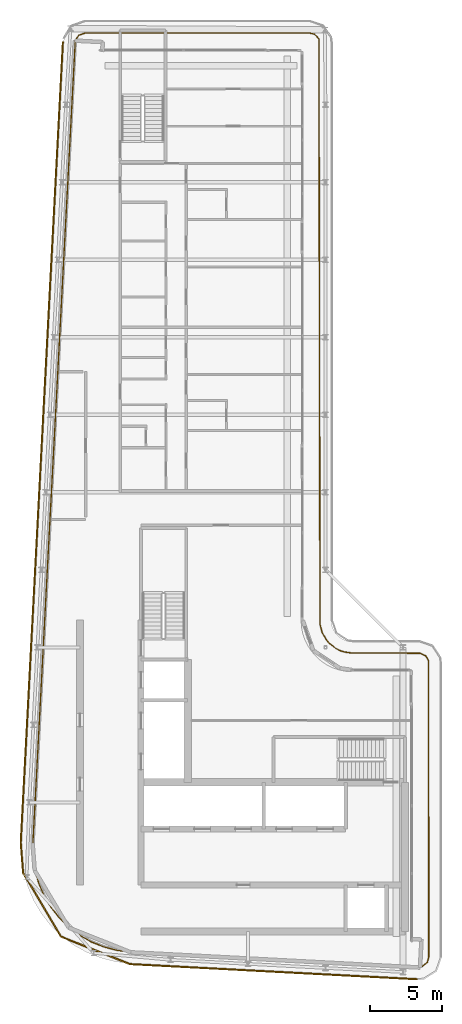
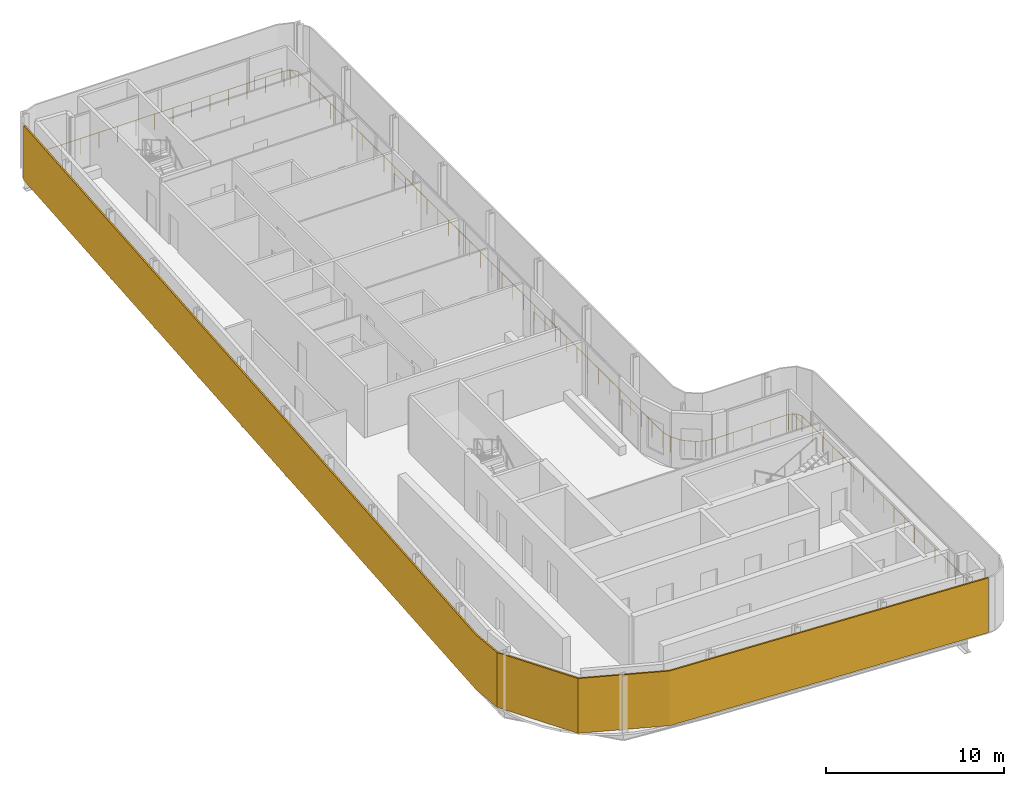
# One storey, part 14 of 17: 1 railing, 1 shading device.
"""IFC4 building model written with IfcOpenShell, lengths in metres."""

import ifcopenshell
import ifcopenshell.guid

model = None  # the IFC model being written
_history = None  # IfcOwnerHistory: only IFC2X3 demands one
_inside = {}  # id of a spatial element -> (the spatial element, [elements in it])
_under = {}  # id of a project, library or spatial element -> (it, [spatial elements below it])
_declared = {}  # id of a project -> (the project, [libraries it declares])
_typed = {}  # id of a type object -> (the type object, [elements of that type])
_made_of = {}  # id of a material, layer set ... -> (it, [elements and type objects made of it])


def new_model(schema):
    """Start an empty IFC model of exactly this schema.

    Asked for "IFC4X3", IfcOpenShell would pick the latest addendum, in which some entities
    have other attributes; the version numbers below select the first issue.
    IFC2X3 requires an IfcOwnerHistory on every rooted entity: one is made here for all.
    """
    global model, _history
    if schema == "IFC4X3":
        model = ifcopenshell.file(schema_version=(4, 3, 0, 0))
    else:
        model = ifcopenshell.file(schema=schema)
    _inside.clear()
    _under.clear()
    _declared.clear()
    _typed.clear()
    _made_of.clear()
    _history = None
    if model.schema == "IFC2X3":
        org = make("IfcOrganization", Name="unknown")
        user = make(
            "IfcPersonAndOrganization",
            ThePerson=make("IfcPerson", FamilyName="unknown"),
            TheOrganization=org,
        )
        app = make(
            "IfcApplication",
            ApplicationDeveloper=org,
            Version="unknown",
            ApplicationFullName="unknown",
            ApplicationIdentifier="unknown",
        )
        _history = make(
            "IfcOwnerHistory",
            OwningUser=user,
            OwningApplication=app,
            ChangeAction="ADDED",
            CreationDate=0,
        )
    return model


def make(cls, **values):
    """One entity of the class cls with the attributes given. An attribute that is None is left unset."""
    return model.create_entity(
        cls, **{name: value for name, value in values.items() if value is not None}
    )


def rooted(cls, **values):
    """An entity with a GlobalId (a new one), such as an element, a storey or a relation."""
    return make(cls, GlobalId=ifcopenshell.guid.new(), OwnerHistory=_history, **values)


def si_unit(unit_type, name, prefix=None):
    """IfcSIUnit, for example si_unit("LENGTHUNIT", "METRE", prefix="MILLI")."""
    return make("IfcSIUnit", UnitType=unit_type, Prefix=prefix, Name=name)


def assignment(units):
    """IfcUnitAssignment: the units of a project."""
    return None if units is None else make("IfcUnitAssignment", Units=units)


def point(xyz):
    """IfcCartesianPoint."""
    return None if xyz is None else make("IfcCartesianPoint", Coordinates=xyz)


def direction(xyz):
    """IfcDirection."""
    return None if xyz is None else make("IfcDirection", DirectionRatios=xyz)


def frame(location, z_axis=None, x_axis=None):
    """IfcAxis2Placement3D, a coordinate frame: its origin and axes. An axis left out is left unset."""
    return make(
        "IfcAxis2Placement3D",
        Location=point(location),
        Axis=direction(z_axis),
        RefDirection=direction(x_axis),
    )


def frame_2d(location, x_axis=None):
    """IfcAxis2Placement2D, a coordinate frame in the plane: its origin and x axis."""
    return make(
        "IfcAxis2Placement2D", Location=point(location), RefDirection=direction(x_axis)
    )


def origin():
    """The frame at (0, 0, 0) with its axes left unset."""
    return frame((0.0, 0.0, 0.0))


def origin_2d():
    """The frame at (0, 0) in the plane with its x axis left unset."""
    return frame_2d((0.0, 0.0))


def place(relative_to, where):
    """IfcLocalPlacement: puts the frame where relative to a parent placement (None: the world)."""
    return make(
        "IfcLocalPlacement", PlacementRelTo=relative_to, RelativePlacement=where
    )


def context(
    kind, dimensions, precision=None, world=None, true_north=None, identifier=None
):
    """IfcGeometricRepresentationContext, for example the 3D "Model" context."""
    return make(
        "IfcGeometricRepresentationContext",
        ContextIdentifier=identifier,
        ContextType=kind,
        CoordinateSpaceDimension=dimensions,
        Precision=precision,
        WorldCoordinateSystem=world,
        TrueNorth=true_north,
    )


def subcontext(parent, identifier, kind, view, scale=None):
    """IfcGeometricRepresentationSubContext, for example "Body" below "Model"."""
    return make(
        "IfcGeometricRepresentationSubContext",
        ContextIdentifier=identifier,
        ContextType=kind,
        ParentContext=parent,
        TargetScale=scale,
        TargetView=view,
    )


def project(units=None, contexts=None):
    """IfcProject with its units and contexts."""
    return rooted(
        "IfcProject",
        Name="project",
        RepresentationContexts=contexts,
        UnitsInContext=assignment(units),
    )


def spatial(cls, under=None, at=None, **own):
    """A site, building, storey or space (cls), placed at a placement, below another one or the project."""
    s = rooted(cls, ObjectPlacement=at, **own)
    if under is not None:
        _under.setdefault(under.id(), (under, []))[1].append(s)
    return s


def polyline(points):
    """IfcPolyline through the points."""
    return make("IfcPolyline", Points=[point(p) for p in points])


def profile(cls, at=None, kind="AREA", **sizes):
    """A parametric profile (cls). Its sizes go by their IFC names, for example OverallWidth=200.0."""
    return make(cls, ProfileType=kind, Position=at, **sizes)


def circle(**sizes):
    """IfcCircleProfileDef."""
    return profile("IfcCircleProfileDef", **sizes)


def outline(outer, holes=None, kind="AREA"):
    """IfcArbitraryClosedProfileDef: a profile drawn as a closed curve; with holes, ...WithVoids."""
    if holes is None:
        return make("IfcArbitraryClosedProfileDef", ProfileType=kind, OuterCurve=outer)
    return make(
        "IfcArbitraryProfileDefWithVoids",
        ProfileType=kind,
        OuterCurve=outer,
        InnerCurves=holes,
    )


def extrude(swept, where, along, depth):
    """IfcExtrudedAreaSolid: the profile swept, set in the frame where, extruded along a direction by depth."""
    return make(
        "IfcExtrudedAreaSolid",
        SweptArea=swept,
        Position=where,
        ExtrudedDirection=direction(along),
        Depth=depth,
    )


def shape(context_of_items, identifier, shape_type, items):
    """IfcShapeRepresentation: the items that make up one representation, for example the "Body"."""
    return make(
        "IfcShapeRepresentation",
        ContextOfItems=context_of_items,
        RepresentationIdentifier=identifier,
        RepresentationType=shape_type,
        Items=items,
    )


def material(Name=None, Category=None):
    """IfcMaterial."""
    return make("IfcMaterial", Name=Name, Category=Category)


def layer(
    of_material, thickness, ventilated=None, Name=None, Category=None, Priority=None
):
    """IfcMaterialLayer: one layer of a wall or slab, of a material (None: an air gap)."""
    return make(
        "IfcMaterialLayer",
        Material=of_material,
        LayerThickness=thickness,
        IsVentilated=ventilated,
        Name=Name,
        Category=Category,
        Priority=Priority,
    )


def layer_set(layers, Name=None):
    """IfcMaterialLayerSet."""
    return make("IfcMaterialLayerSet", MaterialLayers=layers, LayerSetName=Name)


def made_of(thing, what):
    """Note that an element or type object is made of a material, layer set ...; save() writes the relation."""
    if what is not None:
        _made_of.setdefault(what.id(), (what, []))[1].append(thing)
    return thing


def type_object(cls, material=None, **own):
    """A type object (cls), such as IfcWallType, which elements share."""
    return made_of(rooted(cls, **own), material)


def element(
    cls,
    number,
    at=None,
    inside=None,
    cuts=None,
    type_object=None,
    material=None,
    context=None,
    identifier="Body",
    shape_type=None,
    held_by="IfcProductDefinitionShape",
    body=None,
    shapes=None,
    **own,
):
    """One element of the class cls, such as IfcWall. Its Tag is "e" and its number.

    at: its placement. inside: the storey or other place that contains it. cuts: it is an
    opening in that element (IfcRelVoidsElement). A single representation is given by context,
    identifier, shape_type and body (its items); several are given by shapes. held_by: the class
    of the entity that holds the representations. save() writes the other relations.
    """
    e = rooted(cls, Tag="e%d" % number, ObjectPlacement=at, **own)
    if body is not None:
        shapes = [shape(context, identifier, shape_type, body)]
    if shapes is not None:
        e.Representation = make(held_by, Representations=shapes)
    if inside is not None:
        _inside.setdefault(inside.id(), (inside, []))[1].append(e)
    if cuts is not None:
        rooted(
            "IfcRelVoidsElement", RelatingBuildingElement=cuts, RelatedOpeningElement=e
        )
    if type_object is not None:
        _typed.setdefault(type_object.id(), (type_object, []))[1].append(e)
    return made_of(e, material)


def aggregate(whole, parts):
    """IfcRelAggregates: a whole, such as a stair, and the parts it consists of."""
    return rooted("IfcRelAggregates", RelatingObject=whole, RelatedObjects=parts)


def save(model, path):
    """Write the relations noted so far, then the file.

    IfcRelAggregates (storeys below a building ...), IfcRelContainedInSpatialStructure (elements
    in a storey), IfcRelDefinesByType, IfcRelAssociatesMaterial and IfcRelDeclares: one each for
    every whole, place, type object, material and project.
    """
    for whole, parts in _under.values():
        aggregate(whole, parts)
    for where, things in _inside.values():
        rooted(
            "IfcRelContainedInSpatialStructure",
            RelatedElements=things,
            RelatingStructure=where,
        )
    for kind, things in _typed.values():
        rooted("IfcRelDefinesByType", RelatedObjects=things, RelatingType=kind)
    for what, things in _made_of.values():
        rooted("IfcRelAssociatesMaterial", RelatedObjects=things, RelatingMaterial=what)
    for by, libraries in _declared.values():
        rooted("IfcRelDeclares", RelatingContext=by, RelatedDefinitions=libraries)
    model.write(path)


model = new_model("IFC4")

# Units and contexts
model_context = context("Model", 3, precision=1e-05, world=origin(), true_north=direction((0.0, 1.0)))
body_context = subcontext(model_context, "Body", "Model", "MODEL_VIEW")
ifc_project = project(units=[si_unit("LENGTHUNIT", "METRE"), si_unit("AREAUNIT", "SQUARE_METRE"), si_unit("VOLUMEUNIT", "CUBIC_METRE"), si_unit("PLANEANGLEUNIT", "RADIAN"), si_unit("MASSUNIT", "GRAM", prefix="KILO")], contexts=[model_context])

# Site, building, storey
site_placement = place(None, origin())
site = spatial("IfcSite", under=ifc_project, at=site_placement, CompositionType="ELEMENT")
building_placement = place(site_placement, origin())
building = spatial("IfcBuilding", under=site, at=building_placement, Name="Kheshtan School and Residences Tower", CompositionType="ELEMENT")
storey_placement = place(building_placement, frame((0.0, 0.0, 346.10009765625)))
storey = spatial("IfcBuildingStorey", under=building, at=storey_placement, Name="L81", CompositionType="ELEMENT", Elevation=346.10009765625)

# Shading device
ifc_material_1 = material(Name="Terracotta baguette, extruded ceramic", Category="masonry")
ifc_layer = layer(ifc_material_1, 0.10009765625)
ifc_layer_set = layer_set([ifc_layer], Name="Ledge screen, terracotta baguettes")
shading_device_type = type_object("IfcShadingDeviceType", Name="Ledge screen, terracotta baguettes", PredefinedType="USERDEFINED", material=ifc_layer_set)
shading_device_placement = place(storey_placement, origin())
element("IfcShadingDevice", 1, at=shading_device_placement, inside=storey, type_object=shading_device_type, Name="Screen L81 3", ObjectType="BAGUETTE", PredefinedType="USERDEFINED", context=body_context, shape_type="SweptSolid", body=[
    extrude(outline(polyline([(54.02099609375, 22.52490234375), (33.989013671875, 23.580078125), (29.2119140625, 25.486083984375), (26.583984375, 29.906982421875), (26.419921875, 31.989013671875), (29.35693359375, 87.779052734375), (29.257080078125, 87.783935546875), (26.320068359375, 31.988037109375), (26.486083984375, 29.8759765625), (29.14306640625, 25.406005859375), (33.967041015625, 23.48095703125), (54.01611328125, 22.425048828125), (54.02099609375, 22.52490234375)])), origin(), (0.0, 0.0, 1.0), 3.75),
])

# Railing
ifc_material_2 = material(Name="Stainless steel balustrade", Category="steel")
railing_type = type_object("IfcRailingType", Name="Loggia guard 1100", PredefinedType="GUARDRAIL", material=ifc_material_2)
railing_placement = place(storey_placement, frame((30.1689453125, 87.83203125, 0.0)))
element("IfcRailing", 2, at=railing_placement, inside=storey, type_object=railing_type, Name="Guard L81 1", PredefinedType="GUARDRAIL", context=body_context, shape_type="SweptSolid", body=[
    extrude(circle(Radius=0.02392578125, at=origin_2d()), frame((0.0, 0.0, 1.076171875), z_axis=(0.51100331778, 0.859578739394, 0.0), x_axis=(-0.859578739394, 0.51100331778, 0.0)), (0.0, 0.0, 1.0), 0.473388671875),
    extrude(circle(Radius=0.02392578125, at=origin_2d()), frame((0.241943359375, 0.406982421875, 1.076171875), z_axis=(0.946353513301, 0.323133142625, 0.0), x_axis=(-0.323133142625, 0.946353513301, 0.0)), (0.0, 0.0, 1.0), 0.497802734375),
    extrude(circle(Radius=0.02392578125, at=origin_2d()), frame((0.713134765625, 0.56787109375, 1.076171875), z_axis=(1.0, 0.0, 0.0), x_axis=(0.0, 1.0, 0.0)), (0.0, 0.0, 1.0), 15.5908203125),
    extrude(circle(Radius=0.02392578125, at=origin_2d()), frame((16.303955078125, 0.56787109375, 1.076171875), z_axis=(0.969584789188, -0.244755667095, 0.0), x_axis=(0.244755667095, 0.969584789188, 0.0)), (0.0, 0.0, 1.0), 0.387939453125),
    extrude(circle(Radius=0.02392578125, at=origin_2d()), frame((16.68017578125, 0.472900390625, 1.076171875), z_axis=(0.65881241803, -0.752307249632, 0.0), x_axis=(0.752307249632, 0.65881241803, 0.0)), (0.0, 0.0, 1.0), 0.44921875),
    extrude(circle(Radius=0.02392578125, at=origin_2d()), frame((16.97607421875, 0.135009765625, 1.076171875), z_axis=(0.001790566399, -0.999998396935, 0.0), x_axis=(0.999998396935, 0.001790566399, 0.0)), (0.0, 0.0, 1.0), 40.76806640625),
    extrude(circle(Radius=0.02392578125, at=origin_2d()), frame((17.049072265625, -40.633056640625, 1.076171875), z_axis=(0.258194066029, -0.966093072259, 0.0), x_axis=(0.966093072259, 0.258194066029, 0.0)), (0.0, 0.0, 1.0), 0.600341796875),
    extrude(circle(Radius=0.02392578125, at=origin_2d()), frame((17.2041015625, -41.213134765625, 1.076171875), z_axis=(0.500650830488, -0.865649320413, 0.0), x_axis=(0.865649320413, 0.500650830488, 0.0)), (0.0, 0.0, 1.0), 0.599365234375),
    extrude(circle(Radius=0.02392578125, at=origin_2d()), frame((17.504150390625, -41.73193359375, 1.076171875), z_axis=(0.657475962228, -0.753475519903, 0.0), x_axis=(0.753475519903, 0.657475962228, 0.0)), (0.0, 0.0, 1.0), 0.302734375),
    extrude(circle(Radius=0.02392578125, at=origin_2d()), frame((17.703125, -41.9599609375, 1.076171875), z_axis=(0.794207829635, -0.607646215611, 0.0), x_axis=(0.607646215611, 0.794207829635, 0.0)), (0.0, 0.0, 1.0), 0.6005859375),
    extrude(circle(Radius=0.02392578125, at=origin_2d()), frame((18.18017578125, -42.324951171875, 1.076171875), z_axis=(0.895558957072, -0.444942866455, 0.0), x_axis=(0.444942866455, 0.895558957072, 0.0)), (0.0, 0.0, 1.0), 0.30126953125),
    extrude(circle(Radius=0.02392578125, at=origin_2d()), frame((18.449951171875, -42.458984375, 1.076171875), z_axis=(0.946890871883, -0.321555091305, 0.0), x_axis=(0.321555091305, 0.946890871883, 0.0)), (0.0, 0.0, 1.0), 0.30224609375),
    extrude(circle(Radius=0.02392578125, at=origin_2d()), frame((18.736083984375, -42.55615234375, 1.076171875), z_axis=(0.991179452641, -0.132526573418, 0.0), x_axis=(0.132526573418, 0.991179452641, 0.0)), (0.0, 0.0, 1.0), 0.572998046875),
    extrude(circle(Radius=0.02392578125, at=origin_2d()), frame((19.303955078125, -42.632080078125, 1.076171875), z_axis=(0.999998541999, -0.001707630111, 0.0), x_axis=(0.001707630111, 0.999998541999, 0.0)), (0.0, 0.0, 1.0), 4.718017578125),
    extrude(circle(Radius=0.02392578125, at=origin_2d()), frame((24.02197265625, -42.64013671875, 1.076171875), z_axis=(0.897558100782, -0.440896196084, 0.0), x_axis=(0.440896196084, 0.897558100782, 0.0)), (0.0, 0.0, 1.0), 0.448974609375),
    extrude(circle(Radius=0.02392578125, at=origin_2d()), frame((24.425048828125, -42.838134765625, 1.076171875), z_axis=(0.498394889566, -0.866950133546, 0.0), x_axis=(0.866950133546, 0.498394889566, 0.0)), (0.0, 0.0, 1.0), 0.361083984375),
    extrude(circle(Radius=0.02392578125, at=origin_2d()), frame((24.60498046875, -43.151123046875, 1.076171875), z_axis=(0.001266271174, -0.999999198278, 0.0), x_axis=(0.999999198278, 0.001266271174, 0.0)), (0.0, 0.0, 1.0), 20.6298828125),
    extrude(circle(Radius=0.02392578125, at=origin_2d()), frame((24.631103515625, -63.781005859375, 1.076171875), z_axis=(-0.253805819319, -0.967255191808, 0.0), x_axis=(0.967255191808, -0.253805819319, 0.0)), (0.0, 0.0, 1.0), 0.402099609375),
    extrude(circle(Radius=0.02392578125, at=origin_2d()), frame((24.529052734375, -64.169921875, 1.076171875), z_axis=(-0.7708150077, -0.637059042715, 0.0), x_axis=(0.637059042715, -0.7708150077, 0.0)), (0.0, 0.0, 1.0), 0.4619140625),
    extrude(circle(Radius=0.02392578125, at=origin_2d()), frame((24.173095703125, -64.464111328125, 1.076171875), z_axis=(-0.990293977152, -0.138988628372, 0.0), x_axis=(0.138988628372, -0.990293977152, 0.0)), (0.0, 0.0, 1.0), 0.30908203125),
    extrude(circle(Radius=0.02392578125, at=origin_2d()), frame((23.866943359375, -64.507080078125, 1.076171875), z_axis=(-0.99861401751, 0.052631207781, 0.0), x_axis=(-0.052631207781, -0.99861401751, 0.0)), (0.0, 0.0, 1.0), 20.0068359375),
    extrude(circle(Radius=0.02392578125, at=origin_2d()), frame((3.887939453125, -63.4541015625, 1.076171875), z_axis=(-0.993152326572, 0.116826607521, 0.0), x_axis=(-0.116826607521, -0.993152326572, 0.0)), (0.0, 0.0, 1.0), 0.967529296875),
    extrude(circle(Radius=0.02392578125, at=origin_2d()), frame((2.927001953125, -63.341064453125, 1.076171875), z_axis=(-0.969142269941, 0.246502049918, 0.0), x_axis=(-0.246502049918, -0.969142269941, 0.0)), (0.0, 0.0, 1.0), 0.94091796875),
    extrude(circle(Radius=0.02392578125, at=origin_2d()), frame((2.01513671875, -63.109130859375, 1.076171875), z_axis=(-0.928440955332, 0.371480002775, 0.0), x_axis=(-0.371480002775, -0.928440955332, 0.0)), (0.0, 0.0, 1.0), 0.9423828125),
    extrude(circle(Radius=0.02392578125, at=origin_2d()), frame((1.14013671875, -62.759033203125, 1.076171875), z_axis=(-0.872673913379, 0.488303431187, 0.0), x_axis=(-0.488303431187, -0.872673913379, 0.0)), (0.0, 0.0, 1.0), 0.94189453125),
    extrude(circle(Radius=0.02392578125, at=origin_2d()), frame((0.318115234375, -62.299072265625, 1.076171875), z_axis=(-0.801336596607, 0.598213723462, 0.0), x_axis=(-0.598213723462, -0.801336596607, 0.0)), (0.0, 0.0, 1.0), 0.941162109375),
    extrude(circle(Radius=0.02392578125, at=origin_2d()), frame((-0.43603515625, -61.736083984375, 1.076171875), z_axis=(-0.71600013962, 0.69810013613, 0.0), x_axis=(-0.69810013613, -0.71600013962, 0.0)), (0.0, 0.0, 1.0), 0.941162109375),
    extrude(circle(Radius=0.02392578125, at=origin_2d()), frame((-1.10986328125, -61.0791015625, 1.076171875), z_axis=(-0.618862535768, 0.785499307334, 0.0), x_axis=(-0.785499307334, -0.618862535768, 0.0)), (0.0, 0.0, 1.0), 0.942138671875),
    extrude(circle(Radius=0.02392578125, at=origin_2d()), frame((-1.69287109375, -60.339111328125, 1.076171875), z_axis=(-0.510214927824, 0.860046933269, 0.0), x_axis=(-0.860046933269, -0.510214927824, 0.0)), (0.0, 0.0, 1.0), 0.940673828125),
    extrude(circle(Radius=0.02392578125, at=origin_2d()), frame((-2.1728515625, -59.530029296875, 1.076171875), z_axis=(-0.394763216191, 0.918782892278, 0.0), x_axis=(-0.918782892278, -0.394763216191, 0.0)), (0.0, 0.0, 1.0), 0.942626953125),
    extrude(circle(Radius=0.02392578125, at=origin_2d()), frame((-2.544921875, -58.6640625, 1.076171875), z_axis=(-0.272014427065, 0.962293173346, 0.0), x_axis=(-0.962293173346, -0.272014427065, 0.0)), (0.0, 0.0, 1.0), 0.94140625),
    extrude(circle(Radius=0.02392578125, at=origin_2d()), frame((-2.801025390625, -57.758056640625, 1.076171875), z_axis=(-0.143344445165, 0.989672860111, 0.0), x_axis=(-0.989672860111, -0.143344445165, 0.0)), (0.0, 0.0, 1.0), 0.94189453125),
    extrude(circle(Radius=0.02392578125, at=origin_2d()), frame((-2.93603515625, -56.825927734375, 1.076171875), z_axis=(-0.013382639841, 0.999910448466, 0.0), x_axis=(-0.999910448466, -0.013382639841, 0.0)), (0.0, 0.0, 1.0), 0.966796875),
    extrude(circle(Radius=0.02392578125, at=origin_2d()), frame((-2.948974609375, -55.859130859375, 1.076171875), z_axis=(0.052719646365, 0.998609352493, 0.0), x_axis=(-0.998609352493, 0.052719646365, 0.0)), (0.0, 0.0, 1.0), 55.93701171875),
    extrude(circle(Radius=0.02099609375, at=origin_2d()), origin(), (0.0, 0.0, 1.0), 1.052001953125),
    extrude(circle(Radius=0.02099609375, at=origin_2d()), frame((0.241943359375, 0.406982421875, 0.0)), (0.0, 0.0, 1.0), 1.052001953125),
    extrude(circle(Radius=0.02099609375, at=origin_2d()), frame((0.713134765625, 0.56787109375, 0.0)), (0.0, 0.0, 1.0), 1.052001953125),
    extrude(circle(Radius=0.02099609375, at=origin_2d()), frame((1.912353515625, 0.56787109375, 0.0)), (0.0, 0.0, 1.0), 1.052001953125),
    extrude(circle(Radius=0.02099609375, at=origin_2d()), frame((3.11181640625, 0.56787109375, 0.0)), (0.0, 0.0, 1.0), 1.052001953125),
    extrude(circle(Radius=0.02099609375, at=origin_2d()), frame((4.31103515625, 0.56787109375, 0.0)), (0.0, 0.0, 1.0), 1.052001953125),
    extrude(circle(Radius=0.02099609375, at=origin_2d()), frame((5.51025390625, 0.56787109375, 0.0)), (0.0, 0.0, 1.0), 1.052001953125),
    extrude(circle(Radius=0.02099609375, at=origin_2d()), frame((6.709716796875, 0.56787109375, 0.0)), (0.0, 0.0, 1.0), 1.052001953125),
    extrude(circle(Radius=0.02099609375, at=origin_2d()), frame((7.908935546875, 0.56787109375, 0.0)), (0.0, 0.0, 1.0), 1.052001953125),
    extrude(circle(Radius=0.02099609375, at=origin_2d()), frame((9.108154296875, 0.56787109375, 0.0)), (0.0, 0.0, 1.0), 1.052001953125),
    extrude(circle(Radius=0.02099609375, at=origin_2d()), frame((10.307373046875, 0.56787109375, 0.0)), (0.0, 0.0, 1.0), 1.052001953125),
    extrude(circle(Radius=0.02099609375, at=origin_2d()), frame((11.5068359375, 0.56787109375, 0.0)), (0.0, 0.0, 1.0), 1.052001953125),
    extrude(circle(Radius=0.02099609375, at=origin_2d()), frame((12.7060546875, 0.56787109375, 0.0)), (0.0, 0.0, 1.0), 1.052001953125),
    extrude(circle(Radius=0.02099609375, at=origin_2d()), frame((13.9052734375, 0.56787109375, 0.0)), (0.0, 0.0, 1.0), 1.052001953125),
    extrude(circle(Radius=0.02099609375, at=origin_2d()), frame((15.104736328125, 0.56787109375, 0.0)), (0.0, 0.0, 1.0), 1.052001953125),
    extrude(circle(Radius=0.02099609375, at=origin_2d()), frame((16.303955078125, 0.56787109375, 0.0)), (0.0, 0.0, 1.0), 1.052001953125),
    extrude(circle(Radius=0.02099609375, at=origin_2d()), frame((16.68017578125, 0.472900390625, 0.0)), (0.0, 0.0, 1.0), 1.052001953125),
    extrude(circle(Radius=0.02099609375, at=origin_2d()), frame((16.97607421875, 0.135009765625, 0.0)), (0.0, 0.0, 1.0), 1.052001953125),
    extrude(circle(Radius=0.02099609375, at=origin_2d()), frame((16.978271484375, -1.06396484375, 0.0)), (0.0, 0.0, 1.0), 1.052001953125),
    extrude(circle(Radius=0.02099609375, at=origin_2d()), frame((16.98046875, -2.26318359375, 0.0)), (0.0, 0.0, 1.0), 1.052001953125),
    extrude(circle(Radius=0.02099609375, at=origin_2d()), frame((16.982421875, -3.462158203125, 0.0)), (0.0, 0.0, 1.0), 1.052001953125),
    extrude(circle(Radius=0.02099609375, at=origin_2d()), frame((16.984619140625, -4.6611328125, 0.0)), (0.0, 0.0, 1.0), 1.052001953125),
    extrude(circle(Radius=0.02099609375, at=origin_2d()), frame((16.98681640625, -5.8603515625, 0.0)), (0.0, 0.0, 1.0), 1.052001953125),
    extrude(circle(Radius=0.02099609375, at=origin_2d()), frame((16.989013671875, -7.059326171875, 0.0)), (0.0, 0.0, 1.0), 1.052001953125),
    extrude(circle(Radius=0.02099609375, at=origin_2d()), frame((16.9912109375, -8.25830078125, 0.0)), (0.0, 0.0, 1.0), 1.052001953125),
    extrude(circle(Radius=0.02099609375, at=origin_2d()), frame((16.9931640625, -9.45751953125, 0.0)), (0.0, 0.0, 1.0), 1.052001953125),
    extrude(circle(Radius=0.02099609375, at=origin_2d()), frame((16.995361328125, -10.656494140625, 0.0)), (0.0, 0.0, 1.0), 1.052001953125),
    extrude(circle(Radius=0.02099609375, at=origin_2d()), frame((16.99755859375, -11.855712890625, 0.0)), (0.0, 0.0, 1.0), 1.052001953125),
    extrude(circle(Radius=0.02099609375, at=origin_2d()), frame((16.999755859375, -13.0546875, 0.0)), (0.0, 0.0, 1.0), 1.052001953125),
    extrude(circle(Radius=0.02099609375, at=origin_2d()), frame((17.001953125, -14.253662109375, 0.0)), (0.0, 0.0, 1.0), 1.052001953125),
    extrude(circle(Radius=0.02099609375, at=origin_2d()), frame((17.00390625, -15.452880859375, 0.0)), (0.0, 0.0, 1.0), 1.052001953125),
    extrude(circle(Radius=0.02099609375, at=origin_2d()), frame((17.006103515625, -16.65185546875, 0.0)), (0.0, 0.0, 1.0), 1.052001953125),
    extrude(circle(Radius=0.02099609375, at=origin_2d()), frame((17.00830078125, -17.850830078125, 0.0)), (0.0, 0.0, 1.0), 1.052001953125),
    extrude(circle(Radius=0.02099609375, at=origin_2d()), frame((17.010498046875, -19.050048828125, 0.0)), (0.0, 0.0, 1.0), 1.052001953125),
    extrude(circle(Radius=0.02099609375, at=origin_2d()), frame((17.0126953125, -20.2490234375, 0.0)), (0.0, 0.0, 1.0), 1.052001953125),
    extrude(circle(Radius=0.02099609375, at=origin_2d()), frame((17.0146484375, -21.447998046875, 0.0)), (0.0, 0.0, 1.0), 1.052001953125),
    extrude(circle(Radius=0.02099609375, at=origin_2d()), frame((17.016845703125, -22.647216796875, 0.0)), (0.0, 0.0, 1.0), 1.052001953125),
    extrude(circle(Radius=0.02099609375, at=origin_2d()), frame((17.01904296875, -23.84619140625, 0.0)), (0.0, 0.0, 1.0), 1.052001953125),
    extrude(circle(Radius=0.02099609375, at=origin_2d()), frame((17.021240234375, -25.045166015625, 0.0)), (0.0, 0.0, 1.0), 1.052001953125),
    extrude(circle(Radius=0.02099609375, at=origin_2d()), frame((17.023193359375, -26.244384765625, 0.0)), (0.0, 0.0, 1.0), 1.052001953125),
    extrude(circle(Radius=0.02099609375, at=origin_2d()), frame((17.025390625, -27.443359375, 0.0)), (0.0, 0.0, 1.0), 1.052001953125),
    extrude(circle(Radius=0.02099609375, at=origin_2d()), frame((17.027587890625, -28.642333984375, 0.0)), (0.0, 0.0, 1.0), 1.052001953125),
    extrude(circle(Radius=0.02099609375, at=origin_2d()), frame((17.02978515625, -29.841552734375, 0.0)), (0.0, 0.0, 1.0), 1.052001953125),
    extrude(circle(Radius=0.02099609375, at=origin_2d()), frame((17.031982421875, -31.04052734375, 0.0)), (0.0, 0.0, 1.0), 1.052001953125),
    extrude(circle(Radius=0.02099609375, at=origin_2d()), frame((17.033935546875, -32.23974609375, 0.0)), (0.0, 0.0, 1.0), 1.052001953125),
    extrude(circle(Radius=0.02099609375, at=origin_2d()), frame((17.0361328125, -33.438720703125, 0.0)), (0.0, 0.0, 1.0), 1.052001953125),
    extrude(circle(Radius=0.02099609375, at=origin_2d()), frame((17.038330078125, -34.6376953125, 0.0)), (0.0, 0.0, 1.0), 1.052001953125),
    extrude(circle(Radius=0.02099609375, at=origin_2d()), frame((17.04052734375, -35.8369140625, 0.0)), (0.0, 0.0, 1.0), 1.052001953125),
    extrude(circle(Radius=0.02099609375, at=origin_2d()), frame((17.042724609375, -37.035888671875, 0.0)), (0.0, 0.0, 1.0), 1.052001953125),
    extrude(circle(Radius=0.02099609375, at=origin_2d()), frame((17.044677734375, -38.23486328125, 0.0)), (0.0, 0.0, 1.0), 1.052001953125),
    extrude(circle(Radius=0.02099609375, at=origin_2d()), frame((17.046875, -39.43408203125, 0.0)), (0.0, 0.0, 1.0), 1.052001953125),
    extrude(circle(Radius=0.02099609375, at=origin_2d()), frame((17.049072265625, -40.633056640625, 0.0)), (0.0, 0.0, 1.0), 1.052001953125),
    extrude(circle(Radius=0.02099609375, at=origin_2d()), frame((17.2041015625, -41.213134765625, 0.0)), (0.0, 0.0, 1.0), 1.052001953125),
    extrude(circle(Radius=0.02099609375, at=origin_2d()), frame((17.504150390625, -41.73193359375, 0.0)), (0.0, 0.0, 1.0), 1.052001953125),
    extrude(circle(Radius=0.02099609375, at=origin_2d()), frame((17.703125, -41.9599609375, 0.0)), (0.0, 0.0, 1.0), 1.052001953125),
    extrude(circle(Radius=0.02099609375, at=origin_2d()), frame((18.18017578125, -42.324951171875, 0.0)), (0.0, 0.0, 1.0), 1.052001953125),
    extrude(circle(Radius=0.02099609375, at=origin_2d()), frame((18.449951171875, -42.458984375, 0.0)), (0.0, 0.0, 1.0), 1.052001953125),
    extrude(circle(Radius=0.02099609375, at=origin_2d()), frame((18.736083984375, -42.55615234375, 0.0)), (0.0, 0.0, 1.0), 1.052001953125),
    extrude(circle(Radius=0.02099609375, at=origin_2d()), frame((19.303955078125, -42.632080078125, 0.0)), (0.0, 0.0, 1.0), 1.052001953125),
    extrude(circle(Radius=0.02099609375, at=origin_2d()), frame((20.4833984375, -42.634033203125, 0.0)), (0.0, 0.0, 1.0), 1.052001953125),
    extrude(circle(Radius=0.02099609375, at=origin_2d()), frame((21.6630859375, -42.63623046875, 0.0)), (0.0, 0.0, 1.0), 1.052001953125),
    extrude(circle(Radius=0.02099609375, at=origin_2d()), frame((22.842529296875, -42.63818359375, 0.0)), (0.0, 0.0, 1.0), 1.052001953125),
    extrude(circle(Radius=0.02099609375, at=origin_2d()), frame((24.02197265625, -42.64013671875, 0.0)), (0.0, 0.0, 1.0), 1.052001953125),
    extrude(circle(Radius=0.02099609375, at=origin_2d()), frame((24.425048828125, -42.838134765625, 0.0)), (0.0, 0.0, 1.0), 1.052001953125),
    extrude(circle(Radius=0.02099609375, at=origin_2d()), frame((24.60498046875, -43.151123046875, 0.0)), (0.0, 0.0, 1.0), 1.052001953125),
    extrude(circle(Radius=0.02099609375, at=origin_2d()), frame((24.6064453125, -44.297119140625, 0.0)), (0.0, 0.0, 1.0), 1.052001953125),
    extrude(circle(Radius=0.02099609375, at=origin_2d()), frame((24.60791015625, -45.443359375, 0.0)), (0.0, 0.0, 1.0), 1.052001953125),
    extrude(circle(Radius=0.02099609375, at=origin_2d()), frame((24.609375, -46.58935546875, 0.0)), (0.0, 0.0, 1.0), 1.052001953125),
    extrude(circle(Radius=0.02099609375, at=origin_2d()), frame((24.61083984375, -47.735595703125, 0.0)), (0.0, 0.0, 1.0), 1.052001953125),
    extrude(circle(Radius=0.02099609375, at=origin_2d()), frame((24.6123046875, -48.881591796875, 0.0)), (0.0, 0.0, 1.0), 1.052001953125),
    extrude(circle(Radius=0.02099609375, at=origin_2d()), frame((24.61376953125, -50.02783203125, 0.0)), (0.0, 0.0, 1.0), 1.052001953125),
    extrude(circle(Radius=0.02099609375, at=origin_2d()), frame((24.615234375, -51.173828125, 0.0)), (0.0, 0.0, 1.0), 1.052001953125),
    extrude(circle(Radius=0.02099609375, at=origin_2d()), frame((24.61669921875, -52.320068359375, 0.0)), (0.0, 0.0, 1.0), 1.052001953125),
    extrude(circle(Radius=0.02099609375, at=origin_2d()), frame((24.6181640625, -53.466064453125, 0.0)), (0.0, 0.0, 1.0), 1.052001953125),
    extrude(circle(Radius=0.02099609375, at=origin_2d()), frame((24.619384765625, -54.612060546875, 0.0)), (0.0, 0.0, 1.0), 1.052001953125),
    extrude(circle(Radius=0.02099609375, at=origin_2d()), frame((24.620849609375, -55.75830078125, 0.0)), (0.0, 0.0, 1.0), 1.052001953125),
    extrude(circle(Radius=0.02099609375, at=origin_2d()), frame((24.622314453125, -56.904296875, 0.0)), (0.0, 0.0, 1.0), 1.052001953125),
    extrude(circle(Radius=0.02099609375, at=origin_2d()), frame((24.623779296875, -58.050537109375, 0.0)), (0.0, 0.0, 1.0), 1.052001953125),
    extrude(circle(Radius=0.02099609375, at=origin_2d()), frame((24.625244140625, -59.196533203125, 0.0)), (0.0, 0.0, 1.0), 1.052001953125),
    extrude(circle(Radius=0.02099609375, at=origin_2d()), frame((24.626708984375, -60.3427734375, 0.0)), (0.0, 0.0, 1.0), 1.052001953125),
    extrude(circle(Radius=0.02099609375, at=origin_2d()), frame((24.628173828125, -61.48876953125, 0.0)), (0.0, 0.0, 1.0), 1.052001953125),
    extrude(circle(Radius=0.02099609375, at=origin_2d()), frame((24.629638671875, -62.635009765625, 0.0)), (0.0, 0.0, 1.0), 1.052001953125),
    extrude(circle(Radius=0.02099609375, at=origin_2d()), frame((24.631103515625, -63.781005859375, 0.0)), (0.0, 0.0, 1.0), 1.052001953125),
    extrude(circle(Radius=0.02099609375, at=origin_2d()), frame((24.529052734375, -64.169921875, 0.0)), (0.0, 0.0, 1.0), 1.052001953125),
    extrude(circle(Radius=0.02099609375, at=origin_2d()), frame((24.173095703125, -64.464111328125, 0.0)), (0.0, 0.0, 1.0), 1.052001953125),
    extrude(circle(Radius=0.02099609375, at=origin_2d()), frame((23.866943359375, -64.507080078125, 0.0)), (0.0, 0.0, 1.0), 1.052001953125),
    extrude(circle(Radius=0.02099609375, at=origin_2d()), frame((22.691650390625, -64.445068359375, 0.0)), (0.0, 0.0, 1.0), 1.052001953125),
    extrude(circle(Radius=0.02099609375, at=origin_2d()), frame((21.516357421875, -64.38330078125, 0.0)), (0.0, 0.0, 1.0), 1.052001953125),
    extrude(circle(Radius=0.02099609375, at=origin_2d()), frame((20.34130859375, -64.3212890625, 0.0)), (0.0, 0.0, 1.0), 1.052001953125),
    extrude(circle(Radius=0.02099609375, at=origin_2d()), frame((19.166015625, -64.25927734375, 0.0)), (0.0, 0.0, 1.0), 1.052001953125),
    extrude(circle(Radius=0.02099609375, at=origin_2d()), frame((17.99072265625, -64.197265625, 0.0)), (0.0, 0.0, 1.0), 1.052001953125),
    extrude(circle(Radius=0.02099609375, at=origin_2d()), frame((16.8154296875, -64.135498046875, 0.0)), (0.0, 0.0, 1.0), 1.052001953125),
    extrude(circle(Radius=0.02099609375, at=origin_2d()), frame((15.640380859375, -64.073486328125, 0.0)), (0.0, 0.0, 1.0), 1.052001953125),
    extrude(circle(Radius=0.02099609375, at=origin_2d()), frame((14.465087890625, -64.011474609375, 0.0)), (0.0, 0.0, 1.0), 1.052001953125),
    extrude(circle(Radius=0.02099609375, at=origin_2d()), frame((13.289794921875, -63.94970703125, 0.0)), (0.0, 0.0, 1.0), 1.052001953125),
    extrude(circle(Radius=0.02099609375, at=origin_2d()), frame((12.114501953125, -63.8876953125, 0.0)), (0.0, 0.0, 1.0), 1.052001953125),
    extrude(circle(Radius=0.02099609375, at=origin_2d()), frame((10.939453125, -63.82568359375, 0.0)), (0.0, 0.0, 1.0), 1.052001953125),
    extrude(circle(Radius=0.02099609375, at=origin_2d()), frame((9.76416015625, -63.763916015625, 0.0)), (0.0, 0.0, 1.0), 1.052001953125),
    extrude(circle(Radius=0.02099609375, at=origin_2d()), frame((8.5888671875, -63.701904296875, 0.0)), (0.0, 0.0, 1.0), 1.052001953125),
    extrude(circle(Radius=0.02099609375, at=origin_2d()), frame((7.41357421875, -63.639892578125, 0.0)), (0.0, 0.0, 1.0), 1.052001953125),
    extrude(circle(Radius=0.02099609375, at=origin_2d()), frame((6.238525390625, -63.577880859375, 0.0)), (0.0, 0.0, 1.0), 1.052001953125),
    extrude(circle(Radius=0.02099609375, at=origin_2d()), frame((5.063232421875, -63.51611328125, 0.0)), (0.0, 0.0, 1.0), 1.052001953125),
    extrude(circle(Radius=0.02099609375, at=origin_2d()), frame((3.887939453125, -63.4541015625, 0.0)), (0.0, 0.0, 1.0), 1.052001953125),
    extrude(circle(Radius=0.02099609375, at=origin_2d()), frame((2.927001953125, -63.341064453125, 0.0)), (0.0, 0.0, 1.0), 1.052001953125),
    extrude(circle(Radius=0.02099609375, at=origin_2d()), frame((2.01513671875, -63.109130859375, 0.0)), (0.0, 0.0, 1.0), 1.052001953125),
    extrude(circle(Radius=0.02099609375, at=origin_2d()), frame((1.14013671875, -62.759033203125, 0.0)), (0.0, 0.0, 1.0), 1.052001953125),
    extrude(circle(Radius=0.02099609375, at=origin_2d()), frame((0.318115234375, -62.299072265625, 0.0)), (0.0, 0.0, 1.0), 1.052001953125),
    extrude(circle(Radius=0.02099609375, at=origin_2d()), frame((-0.43603515625, -61.736083984375, 0.0)), (0.0, 0.0, 1.0), 1.052001953125),
    extrude(circle(Radius=0.02099609375, at=origin_2d()), frame((-1.10986328125, -61.0791015625, 0.0)), (0.0, 0.0, 1.0), 1.052001953125),
    extrude(circle(Radius=0.02099609375, at=origin_2d()), frame((-1.69287109375, -60.339111328125, 0.0)), (0.0, 0.0, 1.0), 1.052001953125),
    extrude(circle(Radius=0.02099609375, at=origin_2d()), frame((-2.1728515625, -59.530029296875, 0.0)), (0.0, 0.0, 1.0), 1.052001953125),
    extrude(circle(Radius=0.02099609375, at=origin_2d()), frame((-2.544921875, -58.6640625, 0.0)), (0.0, 0.0, 1.0), 1.052001953125),
    extrude(circle(Radius=0.02099609375, at=origin_2d()), frame((-2.801025390625, -57.758056640625, 0.0)), (0.0, 0.0, 1.0), 1.052001953125),
    extrude(circle(Radius=0.02099609375, at=origin_2d()), frame((-2.93603515625, -56.825927734375, 0.0)), (0.0, 0.0, 1.0), 1.052001953125),
    extrude(circle(Radius=0.02099609375, at=origin_2d()), frame((-2.948974609375, -55.859130859375, 0.0)), (0.0, 0.0, 1.0), 1.052001953125),
    extrude(circle(Radius=0.02099609375, at=origin_2d()), frame((-2.88623046875, -54.670654296875, 0.0)), (0.0, 0.0, 1.0), 1.052001953125),
    extrude(circle(Radius=0.02099609375, at=origin_2d()), frame((-2.823486328125, -53.482177734375, 0.0)), (0.0, 0.0, 1.0), 1.052001953125),
    extrude(circle(Radius=0.02099609375, at=origin_2d()), frame((-2.7607421875, -52.293701171875, 0.0)), (0.0, 0.0, 1.0), 1.052001953125),
    extrude(circle(Radius=0.02099609375, at=origin_2d()), frame((-2.697998046875, -51.105224609375, 0.0)), (0.0, 0.0, 1.0), 1.052001953125),
    extrude(circle(Radius=0.02099609375, at=origin_2d()), frame((-2.63525390625, -49.916748046875, 0.0)), (0.0, 0.0, 1.0), 1.052001953125),
    extrude(circle(Radius=0.02099609375, at=origin_2d()), frame((-2.572509765625, -48.728271484375, 0.0)), (0.0, 0.0, 1.0), 1.052001953125),
    extrude(circle(Radius=0.02099609375, at=origin_2d()), frame((-2.509765625, -47.539794921875, 0.0)), (0.0, 0.0, 1.0), 1.052001953125),
    extrude(circle(Radius=0.02099609375, at=origin_2d()), frame((-2.447021484375, -46.35107421875, 0.0)), (0.0, 0.0, 1.0), 1.052001953125),
    extrude(circle(Radius=0.02099609375, at=origin_2d()), frame((-2.38427734375, -45.16259765625, 0.0)), (0.0, 0.0, 1.0), 1.052001953125),
    extrude(circle(Radius=0.02099609375, at=origin_2d()), frame((-2.321533203125, -43.97412109375, 0.0)), (0.0, 0.0, 1.0), 1.052001953125),
    extrude(circle(Radius=0.02099609375, at=origin_2d()), frame((-2.2587890625, -42.78564453125, 0.0)), (0.0, 0.0, 1.0), 1.052001953125),
    extrude(circle(Radius=0.02099609375, at=origin_2d()), frame((-2.196044921875, -41.59716796875, 0.0)), (0.0, 0.0, 1.0), 1.052001953125),
    extrude(circle(Radius=0.02099609375, at=origin_2d()), frame((-2.13330078125, -40.40869140625, 0.0)), (0.0, 0.0, 1.0), 1.052001953125),
    extrude(circle(Radius=0.02099609375, at=origin_2d()), frame((-2.070556640625, -39.22021484375, 0.0)), (0.0, 0.0, 1.0), 1.052001953125),
    extrude(circle(Radius=0.02099609375, at=origin_2d()), frame((-2.0078125, -38.03173828125, 0.0)), (0.0, 0.0, 1.0), 1.052001953125),
    extrude(circle(Radius=0.02099609375, at=origin_2d()), frame((-1.945068359375, -36.84326171875, 0.0)), (0.0, 0.0, 1.0), 1.052001953125),
    extrude(circle(Radius=0.02099609375, at=origin_2d()), frame((-1.88232421875, -35.65478515625, 0.0)), (0.0, 0.0, 1.0), 1.052001953125),
    extrude(circle(Radius=0.02099609375, at=origin_2d()), frame((-1.819580078125, -34.46630859375, 0.0)), (0.0, 0.0, 1.0), 1.052001953125),
    extrude(circle(Radius=0.02099609375, at=origin_2d()), frame((-1.7568359375, -33.27783203125, 0.0)), (0.0, 0.0, 1.0), 1.052001953125),
    extrude(circle(Radius=0.02099609375, at=origin_2d()), frame((-1.694091796875, -32.08935546875, 0.0)), (0.0, 0.0, 1.0), 1.052001953125),
    extrude(circle(Radius=0.02099609375, at=origin_2d()), frame((-1.63134765625, -30.90087890625, 0.0)), (0.0, 0.0, 1.0), 1.052001953125),
    extrude(circle(Radius=0.02099609375, at=origin_2d()), frame((-1.568603515625, -29.71240234375, 0.0)), (0.0, 0.0, 1.0), 1.052001953125),
    extrude(circle(Radius=0.02099609375, at=origin_2d()), frame((-1.505859375, -28.52392578125, 0.0)), (0.0, 0.0, 1.0), 1.052001953125),
    extrude(circle(Radius=0.02099609375, at=origin_2d()), frame((-1.443115234375, -27.335205078125, 0.0)), (0.0, 0.0, 1.0), 1.052001953125),
    extrude(circle(Radius=0.02099609375, at=origin_2d()), frame((-1.38037109375, -26.146728515625, 0.0)), (0.0, 0.0, 1.0), 1.052001953125),
    extrude(circle(Radius=0.02099609375, at=origin_2d()), frame((-1.317626953125, -24.958251953125, 0.0)), (0.0, 0.0, 1.0), 1.052001953125),
    extrude(circle(Radius=0.02099609375, at=origin_2d()), frame((-1.2548828125, -23.769775390625, 0.0)), (0.0, 0.0, 1.0), 1.052001953125),
    extrude(circle(Radius=0.02099609375, at=origin_2d()), frame((-1.192138671875, -22.581298828125, 0.0)), (0.0, 0.0, 1.0), 1.052001953125),
    extrude(circle(Radius=0.02099609375, at=origin_2d()), frame((-1.12939453125, -21.392822265625, 0.0)), (0.0, 0.0, 1.0), 1.052001953125),
    extrude(circle(Radius=0.02099609375, at=origin_2d()), frame((-1.066650390625, -20.204345703125, 0.0)), (0.0, 0.0, 1.0), 1.052001953125),
    extrude(circle(Radius=0.02099609375, at=origin_2d()), frame((-1.00390625, -19.015869140625, 0.0)), (0.0, 0.0, 1.0), 1.052001953125),
    extrude(circle(Radius=0.02099609375, at=origin_2d()), frame((-0.941162109375, -17.827392578125, 0.0)), (0.0, 0.0, 1.0), 1.052001953125),
    extrude(circle(Radius=0.02099609375, at=origin_2d()), frame((-0.87841796875, -16.638916015625, 0.0)), (0.0, 0.0, 1.0), 1.052001953125),
    extrude(circle(Radius=0.02099609375, at=origin_2d()), frame((-0.815673828125, -15.450439453125, 0.0)), (0.0, 0.0, 1.0), 1.052001953125),
    extrude(circle(Radius=0.02099609375, at=origin_2d()), frame((-0.7529296875, -14.261962890625, 0.0)), (0.0, 0.0, 1.0), 1.052001953125),
    extrude(circle(Radius=0.02099609375, at=origin_2d()), frame((-0.690185546875, -13.073486328125, 0.0)), (0.0, 0.0, 1.0), 1.052001953125),
    extrude(circle(Radius=0.02099609375, at=origin_2d()), frame((-0.62744140625, -11.885009765625, 0.0)), (0.0, 0.0, 1.0), 1.052001953125),
    extrude(circle(Radius=0.02099609375, at=origin_2d()), frame((-0.564697265625, -10.696533203125, 0.0)), (0.0, 0.0, 1.0), 1.052001953125),
    extrude(circle(Radius=0.02099609375, at=origin_2d()), frame((-0.501953125, -9.508056640625, 0.0)), (0.0, 0.0, 1.0), 1.052001953125),
    extrude(circle(Radius=0.02099609375, at=origin_2d()), frame((-0.439208984375, -8.3193359375, 0.0)), (0.0, 0.0, 1.0), 1.052001953125),
    extrude(circle(Radius=0.02099609375, at=origin_2d()), frame((-0.37646484375, -7.130859375, 0.0)), (0.0, 0.0, 1.0), 1.052001953125),
    extrude(circle(Radius=0.02099609375, at=origin_2d()), frame((-0.313720703125, -5.9423828125, 0.0)), (0.0, 0.0, 1.0), 1.052001953125),
    extrude(circle(Radius=0.02099609375, at=origin_2d()), frame((-0.2509765625, -4.75390625, 0.0)), (0.0, 0.0, 1.0), 1.052001953125),
    extrude(circle(Radius=0.02099609375, at=origin_2d()), frame((-0.188232421875, -3.5654296875, 0.0)), (0.0, 0.0, 1.0), 1.052001953125),
    extrude(circle(Radius=0.02099609375, at=origin_2d()), frame((-0.12548828125, -2.376953125, 0.0)), (0.0, 0.0, 1.0), 1.052001953125),
    extrude(circle(Radius=0.02099609375, at=origin_2d()), frame((-0.062744140625, -1.1884765625, 0.0)), (0.0, 0.0, 1.0), 1.052001953125),
])

save(model, "model.ifc")
